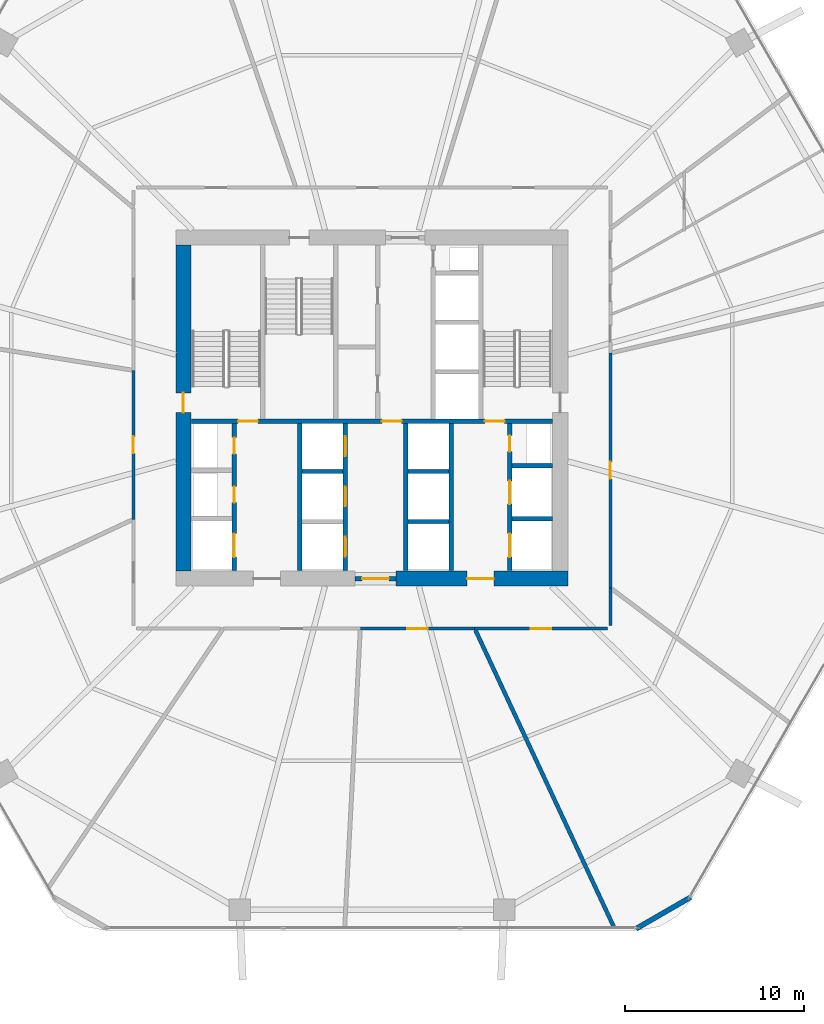
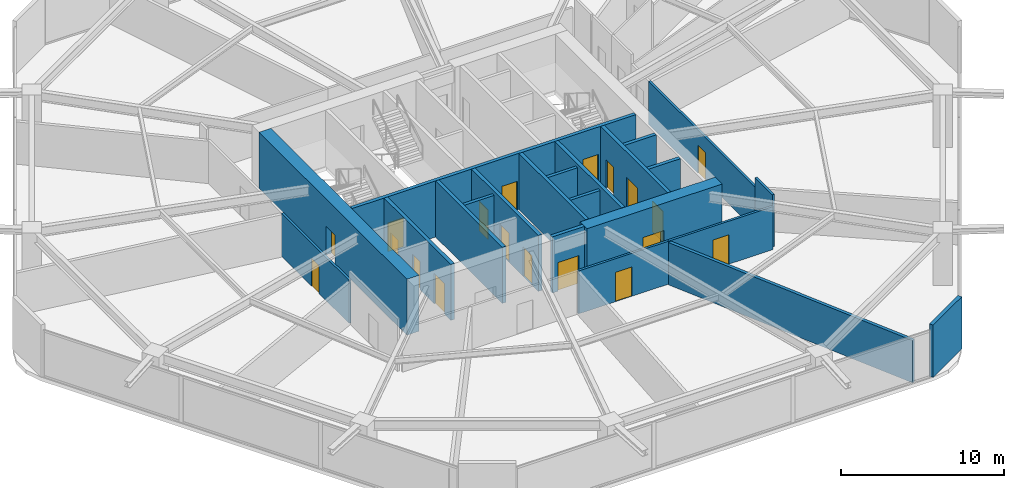
# One storey, part 22 of 25: 22 walls, 19 doors, 19 openings.
"""IFC4 building model written with IfcOpenShell, lengths in metres."""

from ifc_helpers import new_model, si_unit, direction, frame, frame_2d, origin, place, context, subcontext, project, spatial, rectangle, extrude, material, layer, layer_set, type_object, element, fill, save


model = new_model("IFC4")

# Units and contexts
model_context = context("Model", 3, precision=1e-05, world=origin(), true_north=direction((0.0, 1.0)))
body_context = subcontext(model_context, "Body", "Model", "MODEL_VIEW")
ifc_project = project(units=[si_unit("LENGTHUNIT", "METRE"), si_unit("AREAUNIT", "SQUARE_METRE"), si_unit("VOLUMEUNIT", "CUBIC_METRE"), si_unit("PLANEANGLEUNIT", "RADIAN"), si_unit("MASSUNIT", "GRAM", prefix="KILO")], contexts=[model_context])

# Site, building, storey
site_placement = place(None, origin())
site = spatial("IfcSite", under=ifc_project, at=site_placement, CompositionType="ELEMENT")
building_placement = place(site_placement, origin())
building = spatial("IfcBuilding", under=site, at=building_placement, Name="Zuhravey Tower", CompositionType="ELEMENT")
storey_placement = place(building_placement, frame((0.0, 0.0, 45.60009765625)))
storey = spatial("IfcBuildingStorey", under=building, at=storey_placement, Name="L11", CompositionType="ELEMENT", Elevation=45.60009765625)

# Wall, opening, door
ifc_material_1 = material(Name="Concrete C60/75", Category="concrete")
ifc_layer_1 = layer(ifc_material_1, 0.85009765625)
ifc_layer_set_1 = layer_set([ifc_layer_1], Name="Concrete C60/75")
wall_type_1 = type_object("IfcWallType", Name="Core Shear Wall 850", PredefinedType="SHEAR", material=ifc_layer_set_1)
wall_1_placement = place(storey_placement, frame((37.35009765625, 22.5, 0.0), z_axis=(0.0, 0.0, 1.0), x_axis=(1.0, 0.0, 0.0)))
wall_1 = element("IfcWall", 1, at=wall_1_placement, inside=storey, type_object=wall_type_1, Name="L11 South-East Core Shear Wall CW85", PredefinedType="SHEAR", context=body_context, shape_type="SweptSolid", body=[
    extrude(rectangle(XDim=9.574951171875, YDim=0.85009765625, at=frame_2d((4.78759765625, 0.0))), origin(), (0.0, 0.0, 1.0), 4.199951171875),
])
opening_1_placement = place(wall_1_placement, frame((3.949951171875, 0.0, 0.0)))
opening_1 = element("IfcOpeningElement", 2, at=opening_1_placement, cuts=wall_1, Name="Opening FFD1", PredefinedType="OPENING", context=body_context, shape_type="SweptSolid", body=[
    extrude(rectangle(XDim=1.5, YDim=2.14990234375, at=frame_2d((0.75, 1.074951171875))), frame((0.0, 0.43701171875, 0.0), z_axis=(0.0, -1.0, 0.0), x_axis=(1.0, 0.0, 0.0)), (0.0, 0.0, 1.0), 0.8740234375),
])
ifc_material_2 = material(Name="Galvanised fire-rated steel leaf", Category="steel")
door_type_1 = type_object("IfcDoorType", Name="Firefighting Lobby Double Door 1500x2150", OperationType="DOUBLE_DOOR_SINGLE_SWING", PredefinedType="DOOR", material=ifc_material_2)
door_1_placement = place(opening_1_placement, origin())
door_1 = element("IfcDoor", 3, at=door_1_placement, inside=storey, type_object=door_type_1, Name="L11 Firefighting Lobby East Door", OperationType="DOUBLE_DOOR_SINGLE_SWING", OverallHeight=2.14990234375, OverallWidth=1.5, PredefinedType="DOOR", context=body_context, shape_type="SweptSolid", body=[
    extrude(rectangle(XDim=1.5, YDim=2.14990234375, at=frame_2d((0.75, 1.074951171875))), frame((0.0, 0.02490234375, 0.0), z_axis=(0.0, -1.0, 0.0), x_axis=(1.0, 0.0, 0.0)), (0.0, 0.0, 1.0), 0.050048828125),
])
fill(opening_1, door_1)

wall_2_placement = place(storey_placement, frame((25.5, 22.925048828125, 0.0), z_axis=(0.0, 0.0, 1.0), x_axis=(0.0, 1.0, 0.0)))
wall_2 = element("IfcWall", 4, at=wall_2_placement, inside=storey, type_object=wall_type_1, Name="L11 West Core Shear Wall CW85", PredefinedType="SHEAR", context=body_context, shape_type="SweptSolid", body=[
    extrude(rectangle(XDim=18.14990234375, YDim=0.85009765625, at=frame_2d((9.074951171875, 0.0))), origin(), (0.0, 0.0, 1.0), 4.199951171875),
])
opening_2_placement = place(wall_2_placement, frame((8.824951171875, 0.0, 0.0)))
opening_2 = element("IfcOpeningElement", 5, at=opening_2_placement, cuts=wall_2, Name="Opening STD1", PredefinedType="OPENING", context=body_context, shape_type="SweptSolid", body=[
    extrude(rectangle(XDim=1.10009765625, YDim=2.14990234375, at=frame_2d((0.550048828125, 1.074951171875))), frame((0.0, 0.43701171875, 0.0), z_axis=(0.0, -1.0, 0.0), x_axis=(1.0, 0.0, 0.0)), (0.0, 0.0, 1.0), 0.8740234375),
])
door_type_2 = type_object("IfcDoorType", Name="Protected Stair Fire Door 1100x2150", OperationType="NOTDEFINED", PredefinedType="USERDEFINED", material=ifc_material_2)
door_2_placement = place(opening_2_placement, frame((1.10009765625, 0.0, 0.0), z_axis=(0.0, 0.0, 1.0), x_axis=(-1.0, 0.0, 0.0)))
door_2 = element("IfcDoor", 6, at=door_2_placement, inside=storey, type_object=door_type_2, Name="L11 Stair ST1 Door", ObjectType="EXITDOOR", OperationType="SINGLE_SWING_LEFT", OverallHeight=2.14990234375, OverallWidth=1.10009765625, PredefinedType="USERDEFINED", context=body_context, shape_type="SweptSolid", body=[
    extrude(rectangle(XDim=1.10009765625, YDim=2.14990234375, at=frame_2d((0.550048828125, 1.074951171875))), frame((0.0, 0.02490234375, 0.0), z_axis=(0.0, -1.0, 0.0), x_axis=(1.0, 0.0, 0.0)), (0.0, 0.0, 1.0), 0.050048828125),
])
fill(opening_2, door_2)

ifc_material_3 = material(Name="Gypsum fire-rated stud partition")
ifc_layer_2 = layer(ifc_material_3, 0.159912109375)
ifc_layer_set_2 = layer_set([ifc_layer_2], Name="Gypsum fire-rated stud partition")
wall_type_2 = type_object("IfcWallType", Name="Corridor Fire Partition 160", PredefinedType="PARTITIONING", material=ifc_layer_set_2)
wall_3_placement = place(storey_placement, frame((22.715087890625, 34.10400390625, 0.0), z_axis=(0.0, 0.0, 1.0), x_axis=(0.0, -1.0, 0.0)))
wall_3 = element("IfcWall", 7, at=wall_3_placement, inside=storey, type_object=wall_type_2, Name="L11 IW16 Partition 027", PredefinedType="PARTITIONING", context=body_context, shape_type="SweptSolid", body=[
    extrude(rectangle(XDim=8.298828125, YDim=0.159912109375, at=frame_2d((4.1494140625, 0.0))), origin(), (0.0, 0.0, 1.0), 3.219970703125),
])
opening_3_placement = place(wall_3_placement, frame((3.674560546875, 0.0, 0.0)))
opening_3 = element("IfcOpeningElement", 8, at=opening_3_placement, cuts=wall_3, Name="Opening IND1", PredefinedType="OPENING", context=body_context, shape_type="SweptSolid", body=[
    extrude(rectangle(XDim=0.949951171875, YDim=2.10009765625, at=frame_2d((0.47509765625, 1.050048828125))), frame((0.0, 0.092041015625, 0.0), z_axis=(0.0, -1.0, 0.0), x_axis=(1.0, 0.0, 0.0)), (0.0, 0.0, 1.0), 0.183837890625),
])
ifc_material_4 = material(Name="Painted engineered timber leaf", Category="wood")
door_type_3 = type_object("IfcDoorType", Name="Internal Room & Bedroom Door 950x2100", OperationType="NOTDEFINED", PredefinedType="DOOR", material=ifc_material_4)
door_3_placement = place(opening_3_placement, frame((0.949951171875, 0.0, 0.0), z_axis=(0.0, 0.0, 1.0), x_axis=(-1.0, 0.0, 0.0)))
door_3 = element("IfcDoor", 9, at=door_3_placement, inside=storey, type_object=door_type_3, Name="L11 Door 027.1", OperationType="SINGLE_SWING_LEFT", OverallHeight=2.10009765625, OverallWidth=0.949951171875, PredefinedType="DOOR", context=body_context, shape_type="SweptSolid", body=[
    extrude(rectangle(XDim=0.949951171875, YDim=2.10009765625, at=frame_2d((0.47509765625, 1.050048828125))), frame((0.0, 0.02490234375, 0.0), z_axis=(0.0, -1.0, 0.0), x_axis=(1.0, 0.0, 0.0)), (0.0, 0.0, 1.0), 0.050048828125),
])
fill(opening_3, door_3)

wall_4_placement = place(storey_placement, frame((35.356201171875, 19.715087890625, 0.0), z_axis=(0.0, 0.0, 1.0), x_axis=(1.0, 0.0, 0.0)))
wall_4 = element("IfcWall", 10, at=wall_4_placement, inside=storey, type_object=wall_type_2, Name="L11 IW16 Partition 030", PredefinedType="PARTITIONING", context=body_context, shape_type="SweptSolid", body=[
    extrude(rectangle(XDim=6.372314453125, YDim=0.159912109375, at=frame_2d((3.18603515625, 0.0))), origin(), (0.0, 0.0, 1.0), 3.219970703125),
])
opening_4_placement = place(wall_4_placement, frame((2.611083984375, 0.0, 0.0)))
opening_4 = element("IfcOpeningElement", 11, at=opening_4_placement, cuts=wall_4, Name="Opening CLD1", PredefinedType="OPENING", context=body_context, shape_type="SweptSolid", body=[
    extrude(rectangle(XDim=1.14990234375, YDim=2.199951171875, at=frame_2d((0.574951171875, 1.10009765625))), frame((0.0, 0.092041015625, 0.0), z_axis=(0.0, -1.0, 0.0), x_axis=(1.0, 0.0, 0.0)), (0.0, 0.0, 1.0), 0.183837890625),
])
ifc_material_5 = material(Name="Acoustic timber leaf with vision lite", Category="wood")
door_type_4 = type_object("IfcDoorType", Name="Classroom Acoustic Door 1150x2200", OperationType="NOTDEFINED", PredefinedType="DOOR", material=ifc_material_5)
door_4_placement = place(opening_4_placement, frame((1.14990234375, 0.0, 0.0), z_axis=(0.0, 0.0, 1.0), x_axis=(-1.0, 0.0, 0.0)))
door_4 = element("IfcDoor", 12, at=door_4_placement, inside=storey, type_object=door_type_4, Name="L11 Door 030.1", OperationType="SINGLE_SWING_RIGHT", OverallHeight=2.199951171875, OverallWidth=1.14990234375, PredefinedType="DOOR", context=body_context, shape_type="SweptSolid", body=[
    extrude(rectangle(XDim=1.14990234375, YDim=2.199951171875, at=frame_2d((0.574951171875, 1.10009765625))), frame((0.0, 0.02490234375, 0.0), z_axis=(0.0, -1.0, 0.0), x_axis=(1.0, 0.0, 0.0)), (0.0, 0.0, 1.0), 0.050048828125),
])
fill(opening_4, door_4)

wall_5_placement = place(storey_placement, frame((41.728515625, 19.715087890625, 0.0), z_axis=(0.0, 0.0, 1.0), x_axis=(1.0, 0.0, 0.0)))
wall_5 = element("IfcWall", 13, at=wall_5_placement, inside=storey, type_object=wall_type_2, Name="L11 IW16 Partition 031", PredefinedType="PARTITIONING", context=body_context, shape_type="SweptSolid", body=[
    extrude(rectangle(XDim=7.396484375, YDim=0.159912109375, at=frame_2d((3.6982421875, 0.0))), origin(), (0.0, 0.0, 1.0), 3.219970703125),
])
opening_5_placement = place(wall_5_placement, frame((3.123291015625, 0.0, 0.0)))
opening_5 = element("IfcOpeningElement", 14, at=opening_5_placement, cuts=wall_5, Name="Opening CLD1", PredefinedType="OPENING", context=body_context, shape_type="SweptSolid", body=[
    extrude(rectangle(XDim=1.14990234375, YDim=2.199951171875, at=frame_2d((0.574951171875, 1.10009765625))), frame((0.0, 0.092041015625, 0.0), z_axis=(0.0, -1.0, 0.0), x_axis=(1.0, 0.0, 0.0)), (0.0, 0.0, 1.0), 0.183837890625),
])
door_5_placement = place(opening_5_placement, frame((1.14990234375, 0.0, 0.0), z_axis=(0.0, 0.0, 1.0), x_axis=(-1.0, 0.0, 0.0)))
door_5 = element("IfcDoor", 15, at=door_5_placement, inside=storey, type_object=door_type_4, Name="L11 Door 031.1", OperationType="SINGLE_SWING_LEFT", OverallHeight=2.199951171875, OverallWidth=1.14990234375, PredefinedType="DOOR", context=body_context, shape_type="SweptSolid", body=[
    extrude(rectangle(XDim=1.14990234375, YDim=2.199951171875, at=frame_2d((0.574951171875, 1.10009765625))), frame((0.0, 0.02490234375, 0.0), z_axis=(0.0, -1.0, 0.0), x_axis=(1.0, 0.0, 0.0)), (0.0, 0.0, 1.0), 0.050048828125),
])
fill(opening_5, door_5)

wall_6_placement = place(storey_placement, frame((49.284912109375, 21.989013671875, 0.0), z_axis=(0.0, 0.0, 1.0), x_axis=(0.0, 1.0, 0.0)))
wall_6 = element("IfcWall", 16, at=wall_6_placement, inside=storey, type_object=wall_type_2, Name="L11 IW16 Partition 032", PredefinedType="PARTITIONING", context=body_context, shape_type="SweptSolid", body=[
    extrude(rectangle(XDim=13.078125, YDim=0.159912109375, at=frame_2d((6.5390625, 0.0))), origin(), (0.0, 0.0, 1.0), 3.219970703125),
])
opening_6_placement = place(wall_6_placement, frame((6.064208984375, 0.0, 0.0)))
opening_6 = element("IfcOpeningElement", 17, at=opening_6_placement, cuts=wall_6, Name="Opening IND1", PredefinedType="OPENING", context=body_context, shape_type="SweptSolid", body=[
    extrude(rectangle(XDim=0.949951171875, YDim=2.10009765625, at=frame_2d((0.47509765625, 1.050048828125))), frame((0.0, 0.092041015625, 0.0), z_axis=(0.0, -1.0, 0.0), x_axis=(1.0, 0.0, 0.0)), (0.0, 0.0, 1.0), 0.183837890625),
])
door_6_placement = place(opening_6_placement, frame((0.949951171875, 0.0, 0.0), z_axis=(0.0, 0.0, 1.0), x_axis=(-1.0, 0.0, 0.0)))
door_6 = element("IfcDoor", 18, at=door_6_placement, inside=storey, type_object=door_type_3, Name="L11 Door 032.1", OperationType="SINGLE_SWING_RIGHT", OverallHeight=2.10009765625, OverallWidth=0.949951171875, PredefinedType="DOOR", context=body_context, shape_type="SweptSolid", body=[
    extrude(rectangle(XDim=0.949951171875, YDim=2.10009765625, at=frame_2d((0.47509765625, 1.050048828125))), frame((0.0, 0.02490234375, 0.0), z_axis=(0.0, -1.0, 0.0), x_axis=(1.0, 0.0, 0.0)), (0.0, 0.0, 1.0), 0.050048828125),
])
fill(opening_6, door_6)

# Walls
wall_7_placement = place(storey_placement, frame((49.284912109375, 19.875, 0.0), z_axis=(0.0, 0.0, 1.0), x_axis=(0.0, 1.0, 0.0)))
element("IfcWall", 19, at=wall_7_placement, inside=storey, type_object=wall_type_2, Name="L11 IW16 Partition 058", PredefinedType="PARTITIONING", context=body_context, shape_type="SweptSolid", body=[
    extrude(rectangle(XDim=2.114013671875, YDim=0.159912109375, at=frame_2d((1.05712890625, 0.0))), origin(), (0.0, 0.0, 1.0), 3.919921875),
])
ifc_material_6 = material(Name="Precast concrete C40/50", Category="concrete")
ifc_layer_3 = layer(ifc_material_6, 0.280029296875)
ifc_layer_set_3 = layer_set([ifc_layer_3], Name="Precast concrete C40/50")
wall_type_3 = type_object("IfcWallType", Name="Crown Architectural Wall 280", PredefinedType="SOLIDWALL", material=ifc_layer_set_3)
wall_8_placement = place(storey_placement, frame((53.76123046875, 4.75146484375, 0.0), z_axis=(0.0, 0.0, 1.0), x_axis=(-0.866007452331, -0.500031091541, 0.0)))
element("IfcWall", 20, at=wall_8_placement, inside=storey, type_object=wall_type_3, Name="L11 Rounded Corner Closure Wall EW28-02", PredefinedType="SOLIDWALL", context=body_context, shape_type="SweptSolid", body=[
    extrude(rectangle(XDim=3.514892578125, YDim=0.280029296875, at=frame_2d((1.75732421875, 0.0))), origin(), (0.0, 0.0, 1.0), 3.919921875),
])

# Wall, opening, door
ifc_material_7 = material(Name="Concrete C50/60", Category="concrete")
ifc_layer_4 = layer(ifc_material_7, 0.25)
ifc_layer_set_4 = layer_set([ifc_layer_4], Name="Concrete C50/60")
wall_type_4 = type_object("IfcWallType", Name="Firefighting Shaft & Stair Wall 250", PredefinedType="SOLIDWALL", material=ifc_layer_set_4)
wall_9_placement = place(storey_placement, frame((35.06005859375, 22.5, 0.0), z_axis=(0.0, 0.0, 1.0), x_axis=(1.0, 0.0, 0.0)))
wall_9 = element("IfcWall", 21, at=wall_9_placement, inside=storey, type_object=wall_type_4, Name="L11 FW25 Shaft Wall 001", PredefinedType="SOLIDWALL", context=body_context, shape_type="SweptSolid", body=[
    extrude(rectangle(XDim=2.280029296875, YDim=0.25, at=frame_2d((1.14013671875, 0.0))), origin(), (0.0, 0.0, 1.0), 4.199951171875),
])
opening_7_placement = place(wall_9_placement, frame((0.389892578125, 0.0, 0.0)))
opening_7 = element("IfcOpeningElement", 22, at=opening_7_placement, cuts=wall_9, Name="Opening FFD1", PredefinedType="OPENING", context=body_context, shape_type="SweptSolid", body=[
    extrude(rectangle(XDim=1.5, YDim=2.14990234375, at=frame_2d((0.75, 1.074951171875))), frame((0.0, 0.136962890625, 0.0), z_axis=(0.0, -1.0, 0.0), x_axis=(1.0, 0.0, 0.0)), (0.0, 0.0, 1.0), 0.27392578125),
])
door_7_placement = place(opening_7_placement, frame((1.5, 0.0, 0.0), z_axis=(0.0, 0.0, 1.0), x_axis=(-1.0, 0.0, 0.0)))
door_7 = element("IfcDoor", 23, at=door_7_placement, inside=storey, type_object=door_type_1, Name="L11 South Lift Lobby Exit Door", OperationType="DOUBLE_DOOR_SINGLE_SWING", OverallHeight=2.14990234375, OverallWidth=1.5, PredefinedType="DOOR", context=body_context, shape_type="SweptSolid", body=[
    extrude(rectangle(XDim=1.5, YDim=2.14990234375, at=frame_2d((0.75, 1.074951171875))), frame((0.0, 0.02490234375, 0.0), z_axis=(0.0, -1.0, 0.0), x_axis=(1.0, 0.0, 0.0)), (0.0, 0.0, 1.0), 0.050048828125),
])
fill(opening_7, door_7)

# Wall, openings, doors
wall_10_placement = place(storey_placement, frame((25.949951171875, 31.27490234375, 0.0), z_axis=(0.0, 0.0, 1.0), x_axis=(1.0, 0.0, 0.0)))
wall_10 = element("IfcWall", 24, at=wall_10_placement, inside=storey, type_object=wall_type_4, Name="L11 FW25 Shaft Wall 003", PredefinedType="SOLIDWALL", context=body_context, shape_type="SweptSolid", body=[
    extrude(rectangle(XDim=20.10009765625, YDim=0.25, at=frame_2d((10.050048828125, 0.0))), origin(), (0.0, 0.0, 1.0), 4.199951171875),
])
opening_8_placement = place(wall_10_placement, frame((2.60009765625, 0.0, 0.0)))
opening_8 = element("IfcOpeningElement", 25, at=opening_8_placement, cuts=wall_10, Name="Opening STD1", PredefinedType="OPENING", context=body_context, shape_type="SweptSolid", body=[
    extrude(rectangle(XDim=1.10009765625, YDim=2.14990234375, at=frame_2d((0.550048828125, 1.074951171875))), frame((0.0, 0.136962890625, 0.0), z_axis=(0.0, -1.0, 0.0), x_axis=(1.0, 0.0, 0.0)), (0.0, 0.0, 1.0), 0.27392578125),
])
opening_9_placement = place(wall_10_placement, frame((10.60009765625, 0.0, 0.0)))
opening_9 = element("IfcOpeningElement", 26, at=opening_9_placement, cuts=wall_10, Name="Opening STD1", PredefinedType="OPENING", context=body_context, shape_type="SweptSolid", body=[
    extrude(rectangle(XDim=1.10009765625, YDim=2.14990234375, at=frame_2d((0.550048828125, 1.074951171875))), frame((0.0, 0.136962890625, 0.0), z_axis=(0.0, -1.0, 0.0), x_axis=(1.0, 0.0, 0.0)), (0.0, 0.0, 1.0), 0.27392578125),
])
opening_10_placement = place(wall_10_placement, frame((16.35009765625, 0.0, 0.0)))
opening_10 = element("IfcOpeningElement", 27, at=opening_10_placement, cuts=wall_10, Name="Opening STD1", PredefinedType="OPENING", context=body_context, shape_type="SweptSolid", body=[
    extrude(rectangle(XDim=1.10009765625, YDim=2.14990234375, at=frame_2d((0.550048828125, 1.074951171875))), frame((0.0, 0.136962890625, 0.0), z_axis=(0.0, -1.0, 0.0), x_axis=(1.0, 0.0, 0.0)), (0.0, 0.0, 1.0), 0.27392578125),
])
door_8_placement = place(opening_8_placement, origin())
door_8 = element("IfcDoor", 28, at=door_8_placement, inside=storey, type_object=door_type_2, Name="L11 FFL-W to ST1 Door", ObjectType="EXITDOOR", OperationType="SINGLE_SWING_RIGHT", OverallHeight=2.14990234375, OverallWidth=1.10009765625, PredefinedType="USERDEFINED", context=body_context, shape_type="SweptSolid", body=[
    extrude(rectangle(XDim=1.10009765625, YDim=2.14990234375, at=frame_2d((0.550048828125, 1.074951171875))), frame((0.0, 0.02490234375, 0.0), z_axis=(0.0, -1.0, 0.0), x_axis=(1.0, 0.0, 0.0)), (0.0, 0.0, 1.0), 0.050048828125),
])
fill(opening_8, door_8)
door_9_placement = place(opening_9_placement, origin())
door_9 = element("IfcDoor", 29, at=door_9_placement, inside=storey, type_object=door_type_2, Name="L11 Core Lobby Link Door", ObjectType="EXITDOOR", OperationType="SINGLE_SWING_LEFT", OverallHeight=2.14990234375, OverallWidth=1.10009765625, PredefinedType="USERDEFINED", context=body_context, shape_type="SweptSolid", body=[
    extrude(rectangle(XDim=1.10009765625, YDim=2.14990234375, at=frame_2d((0.550048828125, 1.074951171875))), frame((0.0, 0.02490234375, 0.0), z_axis=(0.0, -1.0, 0.0), x_axis=(1.0, 0.0, 0.0)), (0.0, 0.0, 1.0), 0.050048828125),
])
fill(opening_9, door_9)
door_10_placement = place(opening_10_placement, origin())
door_10 = element("IfcDoor", 30, at=door_10_placement, inside=storey, type_object=door_type_2, Name="L11 FFL-E to ST2 Door", ObjectType="EXITDOOR", OperationType="SINGLE_SWING_RIGHT", OverallHeight=2.14990234375, OverallWidth=1.10009765625, PredefinedType="USERDEFINED", context=body_context, shape_type="SweptSolid", body=[
    extrude(rectangle(XDim=1.10009765625, YDim=2.14990234375, at=frame_2d((0.550048828125, 1.074951171875))), frame((0.0, 0.02490234375, 0.0), z_axis=(0.0, -1.0, 0.0), x_axis=(1.0, 0.0, 0.0)), (0.0, 0.0, 1.0), 0.050048828125),
])
fill(opening_10, door_10)

wall_11_placement = place(storey_placement, frame((28.324951171875, 22.949951171875, 0.0), z_axis=(0.0, 0.0, 1.0), x_axis=(0.0, 1.0, 0.0)))
wall_11 = element("IfcWall", 31, at=wall_11_placement, inside=storey, type_object=wall_type_4, Name="L11 FW25 Shaft Wall 011", PredefinedType="SOLIDWALL", context=body_context, shape_type="SweptSolid", body=[
    extrude(rectangle(XDim=8.199951171875, YDim=0.25, at=frame_2d((4.10009765625, 0.0))), origin(), (0.0, 0.0, 1.0), 4.199951171875),
])
opening_11_placement = place(wall_11_placement, frame((0.75, 0.0, 0.0)))
opening_11 = element("IfcOpeningElement", 32, at=opening_11_placement, cuts=wall_11, Name="Opening LD2", PredefinedType="OPENING", context=body_context, shape_type="SweptSolid", body=[
    extrude(rectangle(XDim=1.300048828125, YDim=2.300048828125, at=frame_2d((0.64990234375, 1.14990234375))), frame((0.0, 0.136962890625, 0.0), z_axis=(0.0, -1.0, 0.0), x_axis=(1.0, 0.0, 0.0)), (0.0, 0.0, 1.0), 0.27392578125),
])
opening_12_placement = place(wall_11_placement, frame((3.780029296875, 0.0, 0.0)))
opening_12 = element("IfcOpeningElement", 33, at=opening_12_placement, cuts=wall_11, Name="Opening RSD1", PredefinedType="OPENING", context=body_context, shape_type="SweptSolid", body=[
    extrude(rectangle(XDim=0.89990234375, YDim=2.10009765625, at=frame_2d((0.449951171875, 1.050048828125))), frame((0.0, 0.136962890625, 0.0), z_axis=(0.0, -1.0, 0.0), x_axis=(1.0, 0.0, 0.0)), (0.0, 0.0, 1.0), 0.27392578125),
])
opening_13_placement = place(wall_11_placement, frame((6.5, 0.0, 0.0)))
opening_13 = element("IfcOpeningElement", 34, at=opening_13_placement, cuts=wall_11, Name="Opening RSD1", PredefinedType="OPENING", context=body_context, shape_type="SweptSolid", body=[
    extrude(rectangle(XDim=0.89990234375, YDim=2.10009765625, at=frame_2d((0.449951171875, 1.050048828125))), frame((0.0, 0.136962890625, 0.0), z_axis=(0.0, -1.0, 0.0), x_axis=(1.0, 0.0, 0.0)), (0.0, 0.0, 1.0), 0.27392578125),
])
ifc_material_8 = material(Name="Brushed stainless steel", Category="steel")
door_type_5 = type_object("IfcDoorType", Name="Freight & Stretcher Lift Sliding Door 1300x2300", OperationType="DOUBLE_DOOR_SLIDING", PredefinedType="DOOR", material=ifc_material_8)
door_11_placement = place(opening_11_placement, frame((1.300048828125, 0.0, 0.0), z_axis=(0.0, 0.0, 1.0), x_axis=(-1.0, 0.0, 0.0)))
door_11 = element("IfcDoor", 35, at=door_11_placement, inside=storey, type_object=door_type_5, Name="L11 Lift FF1 Landing Door", OperationType="DOUBLE_DOOR_SLIDING", OverallHeight=2.300048828125, OverallWidth=1.300048828125, PredefinedType="DOOR", context=body_context, shape_type="SweptSolid", body=[
    extrude(rectangle(XDim=1.300048828125, YDim=2.300048828125, at=frame_2d((0.64990234375, 1.14990234375))), frame((0.0, 0.02490234375, 0.0), z_axis=(0.0, -1.0, 0.0), x_axis=(1.0, 0.0, 0.0)), (0.0, 0.0, 1.0), 0.050048828125),
])
fill(opening_11, door_11)
ifc_material_9 = material(Name="Galvanised fire-rated steel access leaf", Category="steel")
door_type_6 = type_object("IfcDoorType", Name="Riser & Shaft Access Fire Door 900x2100", OperationType="NOTDEFINED", PredefinedType="DOOR", material=ifc_material_9)
door_12_placement = place(opening_12_placement, frame((0.89990234375, 0.0, 0.0), z_axis=(0.0, 0.0, 1.0), x_axis=(-1.0, 0.0, 0.0)))
door_12 = element("IfcDoor", 36, at=door_12_placement, inside=storey, type_object=door_type_6, Name="L11 Electrical Riser Door", OperationType="SINGLE_SWING_RIGHT", OverallHeight=2.10009765625, OverallWidth=0.89990234375, PredefinedType="DOOR", context=body_context, shape_type="SweptSolid", body=[
    extrude(rectangle(XDim=0.89990234375, YDim=2.10009765625, at=frame_2d((0.449951171875, 1.050048828125))), frame((0.0, 0.02490234375, 0.0), z_axis=(0.0, -1.0, 0.0), x_axis=(1.0, 0.0, 0.0)), (0.0, 0.0, 1.0), 0.050048828125),
])
fill(opening_12, door_12)
door_13_placement = place(opening_13_placement, frame((0.89990234375, 0.0, 0.0), z_axis=(0.0, 0.0, 1.0), x_axis=(-1.0, 0.0, 0.0)))
door_13 = element("IfcDoor", 37, at=door_13_placement, inside=storey, type_object=door_type_6, Name="L11 Smoke Shaft Access Door", OperationType="SINGLE_SWING_LEFT", OverallHeight=2.10009765625, OverallWidth=0.89990234375, PredefinedType="DOOR", context=body_context, shape_type="SweptSolid", body=[
    extrude(rectangle(XDim=0.89990234375, YDim=2.10009765625, at=frame_2d((0.449951171875, 1.050048828125))), frame((0.0, 0.02490234375, 0.0), z_axis=(0.0, -1.0, 0.0), x_axis=(1.0, 0.0, 0.0)), (0.0, 0.0, 1.0), 0.050048828125),
])
fill(opening_13, door_13)

# Wall
wall_12_placement = place(storey_placement, frame((31.97509765625, 22.949951171875, 0.0), z_axis=(0.0, 0.0, 1.0), x_axis=(0.0, 1.0, 0.0)))
element("IfcWall", 38, at=wall_12_placement, inside=storey, type_object=wall_type_4, Name="L11 FW25 Shaft Wall 012", PredefinedType="SOLIDWALL", context=body_context, shape_type="SweptSolid", body=[
    extrude(rectangle(XDim=8.199951171875, YDim=0.25, at=frame_2d((4.10009765625, 0.0))), origin(), (0.0, 0.0, 1.0), 4.199951171875),
])

# Wall, openings, doors
wall_13_placement = place(storey_placement, frame((34.52490234375, 22.949951171875, 0.0), z_axis=(0.0, 0.0, 1.0), x_axis=(0.0, 1.0, 0.0)))
wall_13 = element("IfcWall", 39, at=wall_13_placement, inside=storey, type_object=wall_type_4, Name="L11 FW25 Shaft Wall 013", PredefinedType="SOLIDWALL", context=body_context, shape_type="SweptSolid", body=[
    extrude(rectangle(XDim=8.199951171875, YDim=0.25, at=frame_2d((4.10009765625, 0.0))), origin(), (0.0, 0.0, 1.0), 4.199951171875),
])
opening_14_placement = place(wall_13_placement, frame((0.77490234375, 0.0, 0.0)))
opening_14 = element("IfcOpeningElement", 40, at=opening_14_placement, cuts=wall_13, Name="Opening LD1", PredefinedType="OPENING", context=body_context, shape_type="SweptSolid", body=[
    extrude(rectangle(XDim=1.10009765625, YDim=2.199951171875, at=frame_2d((0.550048828125, 1.10009765625))), frame((0.0, 0.136962890625, 0.0), z_axis=(0.0, -1.0, 0.0), x_axis=(1.0, 0.0, 0.0)), (0.0, 0.0, 1.0), 0.27392578125),
])
opening_15_placement = place(wall_13_placement, frame((3.574951171875, 0.0, 0.0)))
opening_15 = element("IfcOpeningElement", 41, at=opening_15_placement, cuts=wall_13, Name="Opening LD1", PredefinedType="OPENING", context=body_context, shape_type="SweptSolid", body=[
    extrude(rectangle(XDim=1.10009765625, YDim=2.199951171875, at=frame_2d((0.550048828125, 1.10009765625))), frame((0.0, 0.136962890625, 0.0), z_axis=(0.0, -1.0, 0.0), x_axis=(1.0, 0.0, 0.0)), (0.0, 0.0, 1.0), 0.27392578125),
])
opening_16_placement = place(wall_13_placement, frame((6.375, 0.0, 0.0)))
opening_16 = element("IfcOpeningElement", 42, at=opening_16_placement, cuts=wall_13, Name="Opening LD1", PredefinedType="OPENING", context=body_context, shape_type="SweptSolid", body=[
    extrude(rectangle(XDim=1.10009765625, YDim=2.199951171875, at=frame_2d((0.550048828125, 1.10009765625))), frame((0.0, 0.136962890625, 0.0), z_axis=(0.0, -1.0, 0.0), x_axis=(1.0, 0.0, 0.0)), (0.0, 0.0, 1.0), 0.27392578125),
])
door_type_7 = type_object("IfcDoorType", Name="Lift Landing Sliding Door 1100x2200", OperationType="DOUBLE_DOOR_SLIDING", PredefinedType="DOOR", material=ifc_material_8)
door_14_placement = place(opening_14_placement, frame((1.10009765625, 0.0, 0.0), z_axis=(0.0, 0.0, 1.0), x_axis=(-1.0, 0.0, 0.0)))
door_14 = element("IfcDoor", 43, at=door_14_placement, inside=storey, type_object=door_type_7, Name="L11 Lift PL1 Landing Door", OperationType="DOUBLE_DOOR_SLIDING", OverallHeight=2.199951171875, OverallWidth=1.10009765625, PredefinedType="DOOR", context=body_context, shape_type="SweptSolid", body=[
    extrude(rectangle(XDim=1.10009765625, YDim=2.199951171875, at=frame_2d((0.550048828125, 1.10009765625))), frame((0.0, 0.02490234375, 0.0), z_axis=(0.0, -1.0, 0.0), x_axis=(1.0, 0.0, 0.0)), (0.0, 0.0, 1.0), 0.050048828125),
])
fill(opening_14, door_14)
door_15_placement = place(opening_15_placement, frame((1.10009765625, 0.0, 0.0), z_axis=(0.0, 0.0, 1.0), x_axis=(-1.0, 0.0, 0.0)))
door_15 = element("IfcDoor", 44, at=door_15_placement, inside=storey, type_object=door_type_7, Name="L11 Lift PL2 Landing Door", OperationType="DOUBLE_DOOR_SLIDING", OverallHeight=2.199951171875, OverallWidth=1.10009765625, PredefinedType="DOOR", context=body_context, shape_type="SweptSolid", body=[
    extrude(rectangle(XDim=1.10009765625, YDim=2.199951171875, at=frame_2d((0.550048828125, 1.10009765625))), frame((0.0, 0.02490234375, 0.0), z_axis=(0.0, -1.0, 0.0), x_axis=(1.0, 0.0, 0.0)), (0.0, 0.0, 1.0), 0.050048828125),
])
fill(opening_15, door_15)
door_16_placement = place(opening_16_placement, frame((1.10009765625, 0.0, 0.0), z_axis=(0.0, 0.0, 1.0), x_axis=(-1.0, 0.0, 0.0)))
door_16 = element("IfcDoor", 45, at=door_16_placement, inside=storey, type_object=door_type_7, Name="L11 Lift PL3 Landing Door", OperationType="DOUBLE_DOOR_SLIDING", OverallHeight=2.199951171875, OverallWidth=1.10009765625, PredefinedType="DOOR", context=body_context, shape_type="SweptSolid", body=[
    extrude(rectangle(XDim=1.10009765625, YDim=2.199951171875, at=frame_2d((0.550048828125, 1.10009765625))), frame((0.0, 0.02490234375, 0.0), z_axis=(0.0, -1.0, 0.0), x_axis=(1.0, 0.0, 0.0)), (0.0, 0.0, 1.0), 0.050048828125),
])
fill(opening_16, door_16)

# Walls
for number, where, z_axis, x_axis, name in (
    (46, (37.875, 22.949951171875, 0.0), (0.0, 0.0, 1.0), (0.0, 1.0, 0.0), "L11 FW25 Shaft Wall 014"),
    (47, (40.425048828125, 22.949951171875, 0.0), (0.0, 0.0, 1.0), (0.0, 1.0, 0.0), "L11 FW25 Shaft Wall 015"),
):
    element("IfcWall", number, at=place(storey_placement, frame(where, z_axis=z_axis, x_axis=x_axis)), inside=storey, type_object=wall_type_4, Name=name, PredefinedType="SOLIDWALL", context=body_context, shape_type="SweptSolid", body=[
        extrude(rectangle(XDim=8.199951171875, YDim=0.25, at=frame_2d((4.10009765625, 0.0))), origin(), (0.0, 0.0, 1.0), 4.199951171875),
    ])
for number, where, z_axis, x_axis, name in (
    (48, (43.800048828125, 25.824951171875, 0.0), (0.0, 0.0, 1.0), (1.0, 0.0, 0.0), "L11 FW25 Shaft Wall 016"),
    (49, (43.800048828125, 28.77490234375, 0.0), (0.0, 0.0, 1.0), (1.0, 0.0, 0.0), "L11 FW25 Shaft Wall 017"),
):
    element("IfcWall", number, at=place(storey_placement, frame(where, z_axis=z_axis, x_axis=x_axis)), inside=storey, type_object=wall_type_4, Name=name, PredefinedType="SOLIDWALL", context=body_context, shape_type="SweptSolid", body=[
        extrude(rectangle(XDim=2.25, YDim=0.25, at=frame_2d((1.125, 0.0))), origin(), (0.0, 0.0, 1.0), 4.199951171875),
    ])

# Wall, openings, doors
wall_14_placement = place(storey_placement, frame((43.675048828125, 22.949951171875, 0.0), z_axis=(0.0, 0.0, 1.0), x_axis=(0.0, 1.0, 0.0)))
wall_14 = element("IfcWall", 50, at=wall_14_placement, inside=storey, type_object=wall_type_4, Name="L11 FW25 Shaft Wall 018", PredefinedType="SOLIDWALL", context=body_context, shape_type="SweptSolid", body=[
    extrude(rectangle(XDim=8.199951171875, YDim=0.25, at=frame_2d((4.10009765625, 0.0))), origin(), (0.0, 0.0, 1.0), 4.199951171875),
])
opening_17_placement = place(wall_14_placement, frame((0.75, 0.0, 0.0)))
opening_17 = element("IfcOpeningElement", 51, at=opening_17_placement, cuts=wall_14, Name="Opening LD2", PredefinedType="OPENING", context=body_context, shape_type="SweptSolid", body=[
    extrude(rectangle(XDim=1.300048828125, YDim=2.300048828125, at=frame_2d((0.64990234375, 1.14990234375))), frame((0.0, 0.136962890625, 0.0), z_axis=(0.0, -1.0, 0.0), x_axis=(1.0, 0.0, 0.0)), (0.0, 0.0, 1.0), 0.27392578125),
])
opening_18_placement = place(wall_14_placement, frame((3.699951171875, 0.0, 0.0)))
opening_18 = element("IfcOpeningElement", 52, at=opening_18_placement, cuts=wall_14, Name="Opening LD2", PredefinedType="OPENING", context=body_context, shape_type="SweptSolid", body=[
    extrude(rectangle(XDim=1.300048828125, YDim=2.300048828125, at=frame_2d((0.64990234375, 1.14990234375))), frame((0.0, 0.136962890625, 0.0), z_axis=(0.0, -1.0, 0.0), x_axis=(1.0, 0.0, 0.0)), (0.0, 0.0, 1.0), 0.27392578125),
])
opening_19_placement = place(wall_14_placement, frame((6.6201171875, 0.0, 0.0)))
opening_19 = element("IfcOpeningElement", 53, at=opening_19_placement, cuts=wall_14, Name="Opening RSD1", PredefinedType="OPENING", context=body_context, shape_type="SweptSolid", body=[
    extrude(rectangle(XDim=0.89990234375, YDim=2.10009765625, at=frame_2d((0.449951171875, 1.050048828125))), frame((0.0, 0.136962890625, 0.0), z_axis=(0.0, -1.0, 0.0), x_axis=(1.0, 0.0, 0.0)), (0.0, 0.0, 1.0), 0.27392578125),
])
door_17_placement = place(opening_17_placement, origin())
door_17 = element("IfcDoor", 54, at=door_17_placement, inside=storey, type_object=door_type_5, Name="L11 Lift FF2 Landing Door", OperationType="DOUBLE_DOOR_SLIDING", OverallHeight=2.300048828125, OverallWidth=1.300048828125, PredefinedType="DOOR", context=body_context, shape_type="SweptSolid", body=[
    extrude(rectangle(XDim=1.300048828125, YDim=2.300048828125, at=frame_2d((0.64990234375, 1.14990234375))), frame((0.0, 0.02490234375, 0.0), z_axis=(0.0, -1.0, 0.0), x_axis=(1.0, 0.0, 0.0)), (0.0, 0.0, 1.0), 0.050048828125),
])
fill(opening_17, door_17)
door_18_placement = place(opening_18_placement, origin())
door_18 = element("IfcDoor", 55, at=door_18_placement, inside=storey, type_object=door_type_5, Name="L11 Lift SV1 Landing Door", OperationType="DOUBLE_DOOR_SLIDING", OverallHeight=2.300048828125, OverallWidth=1.300048828125, PredefinedType="DOOR", context=body_context, shape_type="SweptSolid", body=[
    extrude(rectangle(XDim=1.300048828125, YDim=2.300048828125, at=frame_2d((0.64990234375, 1.14990234375))), frame((0.0, 0.02490234375, 0.0), z_axis=(0.0, -1.0, 0.0), x_axis=(1.0, 0.0, 0.0)), (0.0, 0.0, 1.0), 0.050048828125),
])
fill(opening_18, door_18)
door_19_placement = place(opening_19_placement, origin())
door_19 = element("IfcDoor", 56, at=door_19_placement, inside=storey, type_object=door_type_6, Name="L11 Plumbing Riser Door", OperationType="SINGLE_SWING_RIGHT", OverallHeight=2.10009765625, OverallWidth=0.89990234375, PredefinedType="DOOR", context=body_context, shape_type="SweptSolid", body=[
    extrude(rectangle(XDim=0.89990234375, YDim=2.10009765625, at=frame_2d((0.449951171875, 1.050048828125))), frame((0.0, 0.02490234375, 0.0), z_axis=(0.0, -1.0, 0.0), x_axis=(1.0, 0.0, 0.0)), (0.0, 0.0, 1.0), 0.050048828125),
])
fill(opening_19, door_19)

# Walls
ifc_material_10 = material(Name="Gypsum acoustic stud assembly")
ifc_layer_5 = layer(ifc_material_10, 0.219970703125)
ifc_layer_set_5 = layer_set([ifc_layer_5], Name="Gypsum acoustic stud assembly")
wall_type_5 = type_object("IfcWallType", Name="School Acoustic Compartment Wall 220", PredefinedType="PARTITIONING", material=ifc_layer_set_5)
wall_15_placement = place(storey_placement, frame((32.10791015625, 28.47509765625, 0.0), z_axis=(0.0, 0.0, 1.0), x_axis=(1.0, 0.0, 0.0)))
element("IfcWall", 57, at=wall_15_placement, inside=storey, type_object=wall_type_5, Name="L11 IW22 Partition 038", PredefinedType="PARTITIONING", context=body_context, shape_type="SweptSolid", body=[
    extrude(rectangle(XDim=2.2841796875, YDim=0.219970703125, at=frame_2d((1.14208984375, 0.0))), origin(), (0.0, 0.0, 1.0), 3.919921875),
])
for number, where, z_axis, x_axis, name in (
    (58, (38.008056640625, 25.675048828125, 0.0), (0.0, 0.0, 1.0), (1.0, 0.0, 0.0), "L11 IW22 Partition 039"),
    (59, (38.008056640625, 28.47509765625, 0.0), (0.0, 0.0, 1.0), (1.0, 0.0, 0.0), "L11 IW22 Partition 040"),
):
    element("IfcWall", number, at=place(storey_placement, frame(where, z_axis=z_axis, x_axis=x_axis)), inside=storey, type_object=wall_type_5, Name=name, PredefinedType="PARTITIONING", context=body_context, shape_type="SweptSolid", body=[
        extrude(rectangle(XDim=2.283935546875, YDim=0.219970703125, at=frame_2d((1.14208984375, 0.0))), origin(), (0.0, 0.0, 1.0), 3.919921875),
    ])
wall_16_placement = place(storey_placement, frame((41.769775390625, 19.626953125, 0.0), z_axis=(0.0, 0.0, 1.0), x_axis=(0.422616678834, -0.906308525156, 0.0)))
element("IfcWall", 60, at=wall_16_placement, inside=storey, type_object=wall_type_5, Name="L11 IW22 Partition 057", PredefinedType="PARTITIONING", context=body_context, shape_type="SweptSolid", body=[
    extrude(rectangle(XDim=18.300048828125, YDim=0.219970703125, at=frame_2d((9.14990234375, 0.0))), origin(), (0.0, 0.0, 1.0), 3.169921875),
])

save(model, "model.ifc")
